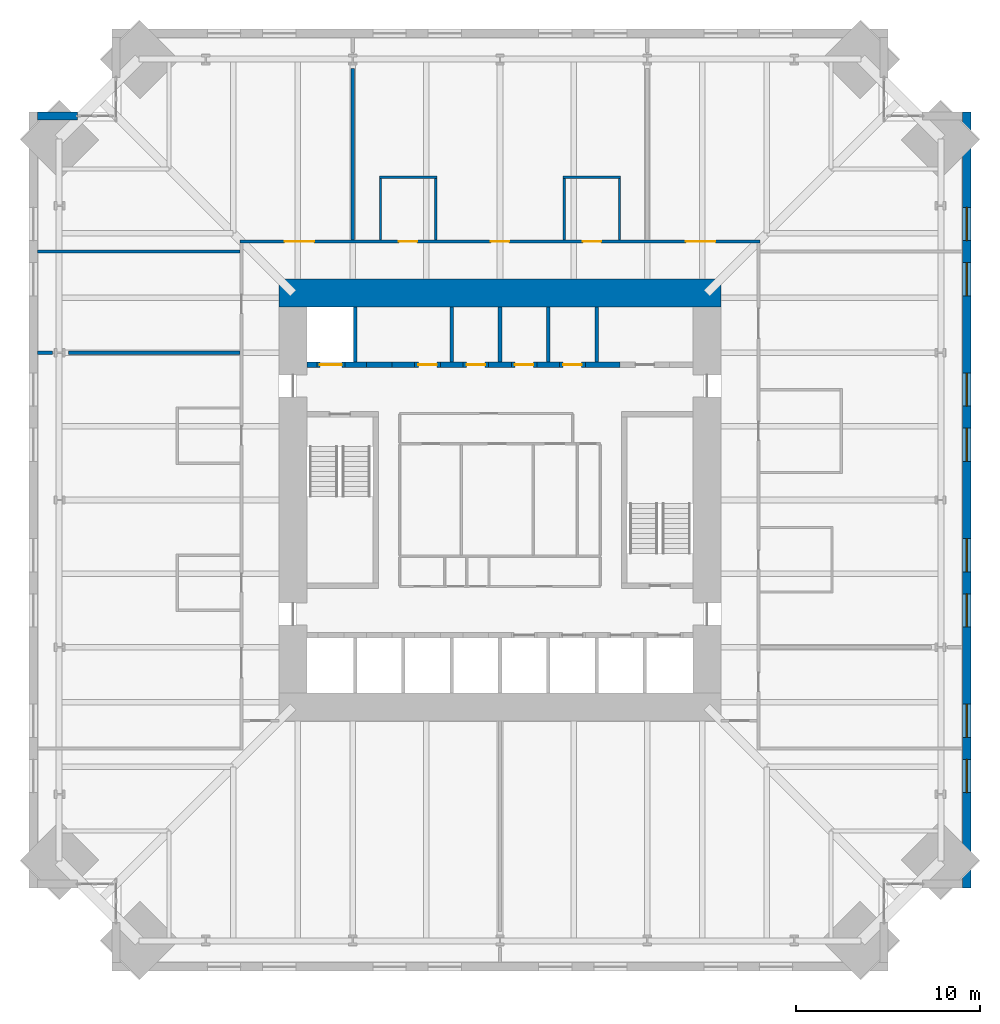
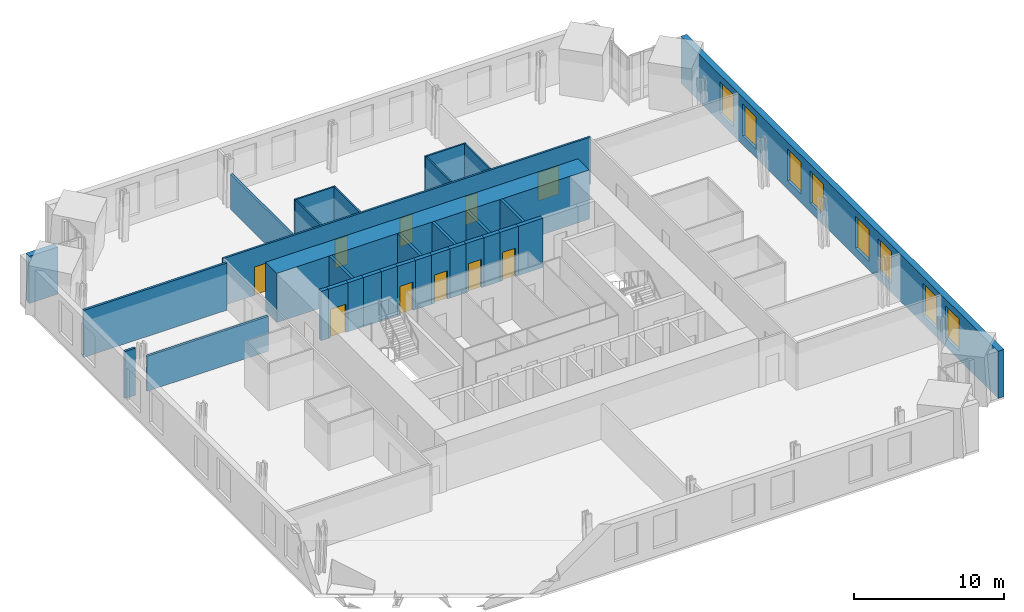
# One storey, part 16 of 18: 32 walls, 10 doors, 8 windows, 18 openings.
"""IFC4 building model written with IfcOpenShell, lengths in metres."""

from ifc_helpers import new_model, si_unit, direction, frame, frame_2d, origin, place, context, subcontext, project, spatial, rectangle, extrude, material, layer, layer_set, type_object, element, fill, save


model = new_model("IFC4")

# Units and contexts
model_context = context("Model", 3, precision=1e-05, world=origin(), true_north=direction((0.0, 1.0)))
body_context = subcontext(model_context, "Body", "Model", "MODEL_VIEW")
ifc_project = project(units=[si_unit("LENGTHUNIT", "METRE"), si_unit("AREAUNIT", "SQUARE_METRE"), si_unit("VOLUMEUNIT", "CUBIC_METRE"), si_unit("PLANEANGLEUNIT", "RADIAN"), si_unit("MASSUNIT", "GRAM", prefix="KILO")], contexts=[model_context])

# Site, building, storey
site_placement = place(None, origin())
site = spatial("IfcSite", under=ifc_project, at=site_placement, CompositionType="ELEMENT")
building_placement = place(site_placement, origin())
building = spatial("IfcBuilding", under=site, at=building_placement, Name="Peilmerk Tower", CompositionType="ELEMENT")
storey_placement = place(building_placement, frame((0.0, 0.0, 171.800048828125)))
storey = spatial("IfcBuildingStorey", under=building, at=storey_placement, Name="L36", CompositionType="ELEMENT", Elevation=171.800048828125)

# Wall, openings, windows
ifc_material_1 = material(Name="Precast concrete C45/55, board-marked finish", Category="concrete")
ifc_layer_1 = layer(ifc_material_1, 0.449951171875)
ifc_layer_set_1 = layer_set([ifc_layer_1], Name="Precast concrete C45/55, board-marked finish")
wall_type_1 = type_object("IfcWallType", Name="EW1 450 precast concrete facade wall, board-marked", PredefinedType="SOLIDWALL", material=ifc_layer_set_1)
wall_1_placement = place(storey_placement, frame((25.375, -21.10009765625, 0.0), z_axis=(0.0, 0.0, 1.0), x_axis=(0.0, 1.0, 0.0)))
wall_1 = element("IfcWall", 1, at=wall_1_placement, inside=storey, type_object=wall_type_1, Name="Facade wall E L36", PredefinedType="SOLIDWALL", context=body_context, shape_type="SweptSolid", body=[
    extrude(rectangle(XDim=42.2001953125, YDim=0.449951171875, at=frame_2d((21.10009765625, 0.0))), origin(), (0.0, 0.0, 1.0), 3.829833984375),
])
opening_1_placement = place(wall_1_placement, frame((5.199951171875, 0.0, 0.699951171875)))
opening_1 = element("IfcOpeningElement", 2, at=opening_1_placement, cuts=wall_1, Name="Opening W1", PredefinedType="OPENING", context=body_context, shape_type="SweptSolid", body=[
    extrude(rectangle(XDim=1.800048828125, YDim=2.60009765625, at=frame_2d((0.89990234375, 1.300048828125))), frame((0.0, 0.23486328125, 0.0), z_axis=(0.0, -1.0, 0.0), x_axis=(1.0, 0.0, 0.0)), (0.0, 0.0, 1.0), 0.469970703125),
])
opening_2_placement = place(wall_1_placement, frame((8.199951171875, 0.0, 0.699951171875)))
opening_2 = element("IfcOpeningElement", 3, at=opening_2_placement, cuts=wall_1, Name="Opening W1", PredefinedType="OPENING", context=body_context, shape_type="SweptSolid", body=[
    extrude(rectangle(XDim=1.800048828125, YDim=2.60009765625, at=frame_2d((0.89990234375, 1.300048828125))), frame((0.0, 0.23486328125, 0.0), z_axis=(0.0, -1.0, 0.0), x_axis=(1.0, 0.0, 0.0)), (0.0, 0.0, 1.0), 0.469970703125),
])
opening_3_placement = place(wall_1_placement, frame((14.199951171875, 0.0, 0.699951171875)))
opening_3 = element("IfcOpeningElement", 4, at=opening_3_placement, cuts=wall_1, Name="Opening W1", PredefinedType="OPENING", context=body_context, shape_type="SweptSolid", body=[
    extrude(rectangle(XDim=1.800048828125, YDim=2.60009765625, at=frame_2d((0.89990234375, 1.300048828125))), frame((0.0, 0.23486328125, 0.0), z_axis=(0.0, -1.0, 0.0), x_axis=(1.0, 0.0, 0.0)), (0.0, 0.0, 1.0), 0.469970703125),
])
opening_4_placement = place(wall_1_placement, frame((17.199951171875, 0.0, 0.699951171875)))
opening_4 = element("IfcOpeningElement", 5, at=opening_4_placement, cuts=wall_1, Name="Opening W1", PredefinedType="OPENING", context=body_context, shape_type="SweptSolid", body=[
    extrude(rectangle(XDim=1.800048828125, YDim=2.60009765625, at=frame_2d((0.89990234375, 1.300048828125))), frame((0.0, 0.23486328125, 0.0), z_axis=(0.0, -1.0, 0.0), x_axis=(1.0, 0.0, 0.0)), (0.0, 0.0, 1.0), 0.469970703125),
])
opening_5_placement = place(wall_1_placement, frame((23.199951171875, 0.0, 0.699951171875)))
opening_5 = element("IfcOpeningElement", 6, at=opening_5_placement, cuts=wall_1, Name="Opening W1", PredefinedType="OPENING", context=body_context, shape_type="SweptSolid", body=[
    extrude(rectangle(XDim=1.800048828125, YDim=2.60009765625, at=frame_2d((0.89990234375, 1.300048828125))), frame((0.0, 0.23486328125, 0.0), z_axis=(0.0, -1.0, 0.0), x_axis=(1.0, 0.0, 0.0)), (0.0, 0.0, 1.0), 0.469970703125),
])
opening_6_placement = place(wall_1_placement, frame((26.199951171875, 0.0, 0.699951171875)))
opening_6 = element("IfcOpeningElement", 7, at=opening_6_placement, cuts=wall_1, Name="Opening W1", PredefinedType="OPENING", context=body_context, shape_type="SweptSolid", body=[
    extrude(rectangle(XDim=1.800048828125, YDim=2.60009765625, at=frame_2d((0.89990234375, 1.300048828125))), frame((0.0, 0.23486328125, 0.0), z_axis=(0.0, -1.0, 0.0), x_axis=(1.0, 0.0, 0.0)), (0.0, 0.0, 1.0), 0.469970703125),
])
opening_7_placement = place(wall_1_placement, frame((32.199951171875, 0.0, 0.699951171875)))
opening_7 = element("IfcOpeningElement", 8, at=opening_7_placement, cuts=wall_1, Name="Opening W1", PredefinedType="OPENING", context=body_context, shape_type="SweptSolid", body=[
    extrude(rectangle(XDim=1.800048828125, YDim=2.60009765625, at=frame_2d((0.89990234375, 1.300048828125))), frame((0.0, 0.23486328125, 0.0), z_axis=(0.0, -1.0, 0.0), x_axis=(1.0, 0.0, 0.0)), (0.0, 0.0, 1.0), 0.469970703125),
])
opening_8_placement = place(wall_1_placement, frame((35.199951171875, 0.0, 0.699951171875)))
opening_8 = element("IfcOpeningElement", 9, at=opening_8_placement, cuts=wall_1, Name="Opening W1", PredefinedType="OPENING", context=body_context, shape_type="SweptSolid", body=[
    extrude(rectangle(XDim=1.800048828125, YDim=2.60009765625, at=frame_2d((0.89990234375, 1.300048828125))), frame((0.0, 0.23486328125, 0.0), z_axis=(0.0, -1.0, 0.0), x_axis=(1.0, 0.0, 0.0)), (0.0, 0.0, 1.0), 0.469970703125),
])
ifc_material_2 = material(Name="Aluminium frame, clear double glazing", Category="aluminium")
window_type = type_object("IfcWindowType", Name="W1 1800x2600 office window", PartitioningType="SINGLE_PANEL", PredefinedType="WINDOW", material=ifc_material_2)
window_1_placement = place(opening_1_placement, origin())
window_1 = element("IfcWindow", 10, at=window_1_placement, inside=storey, type_object=window_type, Name="Window W1 L36", OverallHeight=2.60009765625, OverallWidth=1.800048828125, PartitioningType="SINGLE_PANEL", PredefinedType="WINDOW", context=body_context, shape_type="SweptSolid", body=[
    extrude(rectangle(XDim=1.800048828125, YDim=2.60009765625, at=frame_2d((0.89990234375, 1.300048828125))), frame((0.0, 0.030029296875, 0.0), z_axis=(0.0, -1.0, 0.0), x_axis=(1.0, 0.0, 0.0)), (0.0, 0.0, 1.0), 0.06005859375),
])
fill(opening_1, window_1)
window_2_placement = place(opening_2_placement, origin())
window_2 = element("IfcWindow", 11, at=window_2_placement, inside=storey, type_object=window_type, Name="Window W1 L36", OverallHeight=2.60009765625, OverallWidth=1.800048828125, PartitioningType="SINGLE_PANEL", PredefinedType="WINDOW", context=body_context, shape_type="SweptSolid", body=[
    extrude(rectangle(XDim=1.800048828125, YDim=2.60009765625, at=frame_2d((0.89990234375, 1.300048828125))), frame((0.0, 0.030029296875, 0.0), z_axis=(0.0, -1.0, 0.0), x_axis=(1.0, 0.0, 0.0)), (0.0, 0.0, 1.0), 0.06005859375),
])
fill(opening_2, window_2)
window_3_placement = place(opening_3_placement, origin())
window_3 = element("IfcWindow", 12, at=window_3_placement, inside=storey, type_object=window_type, Name="Window W1 L36", OverallHeight=2.60009765625, OverallWidth=1.800048828125, PartitioningType="SINGLE_PANEL", PredefinedType="WINDOW", context=body_context, shape_type="SweptSolid", body=[
    extrude(rectangle(XDim=1.800048828125, YDim=2.60009765625, at=frame_2d((0.89990234375, 1.300048828125))), frame((0.0, 0.030029296875, 0.0), z_axis=(0.0, -1.0, 0.0), x_axis=(1.0, 0.0, 0.0)), (0.0, 0.0, 1.0), 0.06005859375),
])
fill(opening_3, window_3)
window_4_placement = place(opening_4_placement, origin())
window_4 = element("IfcWindow", 13, at=window_4_placement, inside=storey, type_object=window_type, Name="Window W1 L36", OverallHeight=2.60009765625, OverallWidth=1.800048828125, PartitioningType="SINGLE_PANEL", PredefinedType="WINDOW", context=body_context, shape_type="SweptSolid", body=[
    extrude(rectangle(XDim=1.800048828125, YDim=2.60009765625, at=frame_2d((0.89990234375, 1.300048828125))), frame((0.0, 0.030029296875, 0.0), z_axis=(0.0, -1.0, 0.0), x_axis=(1.0, 0.0, 0.0)), (0.0, 0.0, 1.0), 0.06005859375),
])
fill(opening_4, window_4)
window_5_placement = place(opening_5_placement, origin())
window_5 = element("IfcWindow", 14, at=window_5_placement, inside=storey, type_object=window_type, Name="Window W1 L36", OverallHeight=2.60009765625, OverallWidth=1.800048828125, PartitioningType="SINGLE_PANEL", PredefinedType="WINDOW", context=body_context, shape_type="SweptSolid", body=[
    extrude(rectangle(XDim=1.800048828125, YDim=2.60009765625, at=frame_2d((0.89990234375, 1.300048828125))), frame((0.0, 0.030029296875, 0.0), z_axis=(0.0, -1.0, 0.0), x_axis=(1.0, 0.0, 0.0)), (0.0, 0.0, 1.0), 0.06005859375),
])
fill(opening_5, window_5)
window_6_placement = place(opening_6_placement, origin())
window_6 = element("IfcWindow", 15, at=window_6_placement, inside=storey, type_object=window_type, Name="Window W1 L36", OverallHeight=2.60009765625, OverallWidth=1.800048828125, PartitioningType="SINGLE_PANEL", PredefinedType="WINDOW", context=body_context, shape_type="SweptSolid", body=[
    extrude(rectangle(XDim=1.800048828125, YDim=2.60009765625, at=frame_2d((0.89990234375, 1.300048828125))), frame((0.0, 0.030029296875, 0.0), z_axis=(0.0, -1.0, 0.0), x_axis=(1.0, 0.0, 0.0)), (0.0, 0.0, 1.0), 0.06005859375),
])
fill(opening_6, window_6)
window_7_placement = place(opening_7_placement, origin())
window_7 = element("IfcWindow", 16, at=window_7_placement, inside=storey, type_object=window_type, Name="Window W1 L36", OverallHeight=2.60009765625, OverallWidth=1.800048828125, PartitioningType="SINGLE_PANEL", PredefinedType="WINDOW", context=body_context, shape_type="SweptSolid", body=[
    extrude(rectangle(XDim=1.800048828125, YDim=2.60009765625, at=frame_2d((0.89990234375, 1.300048828125))), frame((0.0, 0.030029296875, 0.0), z_axis=(0.0, -1.0, 0.0), x_axis=(1.0, 0.0, 0.0)), (0.0, 0.0, 1.0), 0.06005859375),
])
fill(opening_7, window_7)
window_8_placement = place(opening_8_placement, origin())
window_8 = element("IfcWindow", 17, at=window_8_placement, inside=storey, type_object=window_type, Name="Window W1 L36", OverallHeight=2.60009765625, OverallWidth=1.800048828125, PartitioningType="SINGLE_PANEL", PredefinedType="WINDOW", context=body_context, shape_type="SweptSolid", body=[
    extrude(rectangle(XDim=1.800048828125, YDim=2.60009765625, at=frame_2d((0.89990234375, 1.300048828125))), frame((0.0, 0.030029296875, 0.0), z_axis=(0.0, -1.0, 0.0), x_axis=(1.0, 0.0, 0.0)), (0.0, 0.0, 1.0), 0.06005859375),
])
fill(opening_8, window_8)

# Wall
wall_2_placement = place(storey_placement, frame((-22.95361328125, 20.875, 0.0), z_axis=(0.0, 0.0, 1.0), x_axis=(-1.0, 0.0, 0.0)))
element("IfcWall", 18, at=wall_2_placement, inside=storey, type_object=wall_type_1, Name="Facade wall NWB L36", PredefinedType="SOLIDWALL", context=body_context, shape_type="SweptSolid", body=[
    extrude(rectangle(XDim=2.1962890625, YDim=0.449951171875, at=frame_2d((1.09814453125, 0.0))), origin(), (0.0, 0.0, 1.0), 3.829833984375),
])

# Wall, openings, doors
ifc_material_3 = material(Name="Calcium silicate block", Category="masonry")
ifc_layer_2 = layer(ifc_material_3, 0.14990234375)
ifc_layer_set_2 = layer_set([ifc_layer_2], Name="Calcium silicate block")
wall_type_2 = type_object("IfcWallType", Name="IW1 150 corridor partition, EI 60", PredefinedType="PARTITIONING", material=ifc_layer_set_2)
wall_3_placement = place(storey_placement, frame((-14.125, 14.050048828125, 0.0), z_axis=(0.0, 0.0, 1.0), x_axis=(1.0, 0.0, 0.0)))
wall_3 = element("IfcWall", 19, at=wall_3_placement, inside=storey, type_object=wall_type_2, Name="Corridor wall N L36", PredefinedType="PARTITIONING", context=body_context, shape_type="SweptSolid", body=[
    extrude(rectangle(XDim=28.25, YDim=0.14990234375, at=frame_2d((14.125, 0.0))), origin(), (0.0, 0.0, 1.0), 3.829833984375),
])
opening_9_placement = place(wall_3_placement, frame((2.425048828125, 0.0, 0.0)))
opening_9 = element("IfcOpeningElement", 20, at=opening_9_placement, cuts=wall_3, Name="Opening D9", PredefinedType="OPENING", context=body_context, shape_type="SweptSolid", body=[
    extrude(rectangle(XDim=1.60009765625, YDim=2.300048828125, at=frame_2d((0.800048828125, 1.14990234375))), frame((0.0, 0.0849609375, 0.0), z_axis=(0.0, -1.0, 0.0), x_axis=(1.0, 0.0, 0.0)), (0.0, 0.0, 1.0), 0.169921875),
])
opening_10_placement = place(wall_3_placement, frame((13.625, 0.0, 0.0)))
opening_10 = element("IfcOpeningElement", 21, at=opening_10_placement, cuts=wall_3, Name="Opening D1", PredefinedType="OPENING", context=body_context, shape_type="SweptSolid", body=[
    extrude(rectangle(XDim=1.0, YDim=2.300048828125, at=frame_2d((0.5, 1.14990234375))), frame((0.0, 0.0849609375, 0.0), z_axis=(0.0, -1.0, 0.0), x_axis=(1.0, 0.0, 0.0)), (0.0, 0.0, 1.0), 0.169921875),
])
opening_11_placement = place(wall_3_placement, frame((24.22509765625, 0.0, 0.0)))
opening_11 = element("IfcOpeningElement", 22, at=opening_11_placement, cuts=wall_3, Name="Opening D9", PredefinedType="OPENING", context=body_context, shape_type="SweptSolid", body=[
    extrude(rectangle(XDim=1.60009765625, YDim=2.300048828125, at=frame_2d((0.800048828125, 1.14990234375))), frame((0.0, 0.0849609375, 0.0), z_axis=(0.0, -1.0, 0.0), x_axis=(1.0, 0.0, 0.0)), (0.0, 0.0, 1.0), 0.169921875),
])
opening_12_placement = place(wall_3_placement, frame((8.625, 0.0, 0.0)))
opening_12 = element("IfcOpeningElement", 23, at=opening_12_placement, cuts=wall_3, Name="Opening D1", PredefinedType="OPENING", context=body_context, shape_type="SweptSolid", body=[
    extrude(rectangle(XDim=1.0, YDim=2.300048828125, at=frame_2d((0.5, 1.14990234375))), frame((0.0, 0.0849609375, 0.0), z_axis=(0.0, -1.0, 0.0), x_axis=(1.0, 0.0, 0.0)), (0.0, 0.0, 1.0), 0.169921875),
])
opening_13_placement = place(wall_3_placement, frame((18.625, 0.0, 0.0)))
opening_13 = element("IfcOpeningElement", 24, at=opening_13_placement, cuts=wall_3, Name="Opening D1", PredefinedType="OPENING", context=body_context, shape_type="SweptSolid", body=[
    extrude(rectangle(XDim=1.0, YDim=2.300048828125, at=frame_2d((0.5, 1.14990234375))), frame((0.0, 0.0849609375, 0.0), z_axis=(0.0, -1.0, 0.0), x_axis=(1.0, 0.0, 0.0)), (0.0, 0.0, 1.0), 0.169921875),
])
ifc_material_4 = material(Name="Timber door in steel frame", Category="steel")
door_type_1 = type_object("IfcDoorType", Name="D1 1000x2300 room door, EI2 30", OperationType="SINGLE_SWING_LEFT", PredefinedType="DOOR", material=ifc_material_4)
door_1_placement = place(opening_10_placement, origin())
door_1 = element("IfcDoor", 25, at=door_1_placement, inside=storey, type_object=door_type_1, Name="Door Project room L36", OperationType="SINGLE_SWING_LEFT", OverallHeight=2.300048828125, OverallWidth=1.0, PredefinedType="DOOR", context=body_context, shape_type="SweptSolid", body=[
    extrude(rectangle(XDim=1.0, YDim=2.300048828125, at=frame_2d((0.5, 1.14990234375))), frame((0.0, 0.02490234375, 0.0), z_axis=(0.0, -1.0, 0.0), x_axis=(1.0, 0.0, 0.0)), (0.0, 0.0, 1.0), 0.050048828125),
])
fill(opening_10, door_1)
door_2_placement = place(opening_12_placement, origin())
door_2 = element("IfcDoor", 26, at=door_2_placement, inside=storey, type_object=door_type_1, Name="Door Focus room L36", OperationType="SINGLE_SWING_LEFT", OverallHeight=2.300048828125, OverallWidth=1.0, PredefinedType="DOOR", context=body_context, shape_type="SweptSolid", body=[
    extrude(rectangle(XDim=1.0, YDim=2.300048828125, at=frame_2d((0.5, 1.14990234375))), frame((0.0, 0.02490234375, 0.0), z_axis=(0.0, -1.0, 0.0), x_axis=(1.0, 0.0, 0.0)), (0.0, 0.0, 1.0), 0.050048828125),
])
fill(opening_12, door_2)
door_3_placement = place(opening_13_placement, origin())
door_3 = element("IfcDoor", 27, at=door_3_placement, inside=storey, type_object=door_type_1, Name="Door Focus room L36", OperationType="SINGLE_SWING_LEFT", OverallHeight=2.300048828125, OverallWidth=1.0, PredefinedType="DOOR", context=body_context, shape_type="SweptSolid", body=[
    extrude(rectangle(XDim=1.0, YDim=2.300048828125, at=frame_2d((0.5, 1.14990234375))), frame((0.0, 0.02490234375, 0.0), z_axis=(0.0, -1.0, 0.0), x_axis=(1.0, 0.0, 0.0)), (0.0, 0.0, 1.0), 0.050048828125),
])
fill(opening_13, door_3)
ifc_material_5 = material(Name="Glazed timber door in steel frame", Category="steel")
door_type_2 = type_object("IfcDoorType", Name="D9 1600x2300 glazed double door, EI2 30", OperationType="DOUBLE_DOOR_SINGLE_SWING", PredefinedType="DOOR", material=ifc_material_5)
door_4_placement = place(opening_9_placement, origin())
door_4 = element("IfcDoor", 28, at=door_4_placement, inside=storey, type_object=door_type_2, Name="Door Open workspace L36", OperationType="DOUBLE_DOOR_SINGLE_SWING", OverallHeight=2.300048828125, OverallWidth=1.60009765625, PredefinedType="DOOR", context=body_context, shape_type="SweptSolid", body=[
    extrude(rectangle(XDim=1.60009765625, YDim=2.300048828125, at=frame_2d((0.800048828125, 1.14990234375))), frame((0.0, 0.02490234375, 0.0), z_axis=(0.0, -1.0, 0.0), x_axis=(1.0, 0.0, 0.0)), (0.0, 0.0, 1.0), 0.050048828125),
])
fill(opening_9, door_4)
door_5_placement = place(opening_11_placement, origin())
door_5 = element("IfcDoor", 29, at=door_5_placement, inside=storey, type_object=door_type_2, Name="Door Open workspace L36", OperationType="DOUBLE_DOOR_SINGLE_SWING", OverallHeight=2.300048828125, OverallWidth=1.60009765625, PredefinedType="DOOR", context=body_context, shape_type="SweptSolid", body=[
    extrude(rectangle(XDim=1.60009765625, YDim=2.300048828125, at=frame_2d((0.800048828125, 1.14990234375))), frame((0.0, 0.02490234375, 0.0), z_axis=(0.0, -1.0, 0.0), x_axis=(1.0, 0.0, 0.0)), (0.0, 0.0, 1.0), 0.050048828125),
])
fill(opening_11, door_5)

# Walls
ifc_material_6 = material(Name="Plasterboard on steel studs, double boarded with mineral wool", Category="steel")
ifc_layer_3 = layer(ifc_material_6, 0.125)
ifc_layer_set_3 = layer_set([ifc_layer_3], Name="Plasterboard on steel studs, double boarded with mineral wool")
wall_type_3 = type_object("IfcWallType", Name="IW7 125 acoustic partition, EI 30", PredefinedType="PARTITIONING", material=ifc_layer_set_3)
wall_4_placement = place(storey_placement, frame((-6.5625, 17.550048828125, 0.0), z_axis=(0.0, 0.0, 1.0), x_axis=(1.0, 0.0, 0.0)))
element("IfcWall", 30, at=wall_4_placement, inside=storey, type_object=wall_type_3, Name="Acoustic partition Focus room L36", PredefinedType="PARTITIONING", context=body_context, shape_type="SweptSolid", body=[
    extrude(rectangle(XDim=3.125, YDim=0.125, at=frame_2d((1.5625, 0.0))), origin(), (0.0, 0.0, 1.0), 3.829833984375),
])
for number, where, z_axis, x_axis, name in (
    (31, (-6.5, 14.125, 0.0), (0.0, 0.0, 1.0), (0.0, 1.0, 0.0), "Acoustic partition Focus room L36"),
    (32, (-3.5, 14.125, 0.0), (0.0, 0.0, 1.0), (0.0, 1.0, 0.0), "Acoustic partition Focus room L36"),
):
    element("IfcWall", number, at=place(storey_placement, frame(where, z_axis=z_axis, x_axis=x_axis)), inside=storey, type_object=wall_type_3, Name=name, PredefinedType="PARTITIONING", context=body_context, shape_type="SweptSolid", body=[
        extrude(rectangle(XDim=3.362548828125, YDim=0.125, at=frame_2d((1.68115234375, 0.0))), origin(), (0.0, 0.0, 1.0), 3.829833984375),
    ])
wall_5_placement = place(storey_placement, frame((3.4375, 17.550048828125, 0.0), z_axis=(0.0, 0.0, 1.0), x_axis=(1.0, 0.0, 0.0)))
element("IfcWall", 33, at=wall_5_placement, inside=storey, type_object=wall_type_3, Name="Acoustic partition Focus room L36", PredefinedType="PARTITIONING", context=body_context, shape_type="SweptSolid", body=[
    extrude(rectangle(XDim=3.125, YDim=0.125, at=frame_2d((1.5625, 0.0))), origin(), (0.0, 0.0, 1.0), 3.829833984375),
])
for number, where, z_axis, x_axis, name in (
    (34, (3.5, 14.125, 0.0), (0.0, 0.0, 1.0), (0.0, 1.0, 0.0), "Acoustic partition Focus room L36"),
    (35, (6.5, 14.125, 0.0), (0.0, 0.0, 1.0), (0.0, 1.0, 0.0), "Acoustic partition Focus room L36"),
):
    element("IfcWall", number, at=place(storey_placement, frame(where, z_axis=z_axis, x_axis=x_axis)), inside=storey, type_object=wall_type_3, Name=name, PredefinedType="PARTITIONING", context=body_context, shape_type="SweptSolid", body=[
        extrude(rectangle(XDim=3.362548828125, YDim=0.125, at=frame_2d((1.68115234375, 0.0))), origin(), (0.0, 0.0, 1.0), 3.829833984375),
    ])
ifc_layer_4 = layer(ifc_material_3, 0.175048828125)
ifc_layer_set_4 = layer_set([ifc_layer_4], Name="Calcium silicate block")
wall_type_4 = type_object("IfcWallType", Name="IW8 175 tenant separating wall, EI 60", PredefinedType="PARTITIONING", material=ifc_layer_set_4)
wall_6_placement = place(storey_placement, frame((-25.14990234375, 13.5, 0.0), z_axis=(0.0, 0.0, 1.0), x_axis=(1.0, 0.0, 0.0)))
element("IfcWall", 36, at=wall_6_placement, inside=storey, type_object=wall_type_4, Name="Tenant separating wall NW L36", PredefinedType="PARTITIONING", context=body_context, shape_type="SweptSolid", body=[
    extrude(rectangle(XDim=11.02490234375, YDim=0.175048828125, at=frame_2d((5.512451171875, 0.0))), origin(), (0.0, 0.0, 1.0), 3.829833984375),
])
for number, where, z_axis, x_axis, name in (
    (37, (-8.0, 14.125, 0.0), (0.0, 0.0, 1.0), (0.0, 1.0, 0.0), "Tenant separating wall N1 L36"),
    (38, (-14.125, 8.0, 0.0), (0.0, 0.0, 1.0), (-1.0, 0.0, 0.0), "Tenant separating wall W1 L36"),
):
    element("IfcWall", number, at=place(storey_placement, frame(where, z_axis=z_axis, x_axis=x_axis)), inside=storey, type_object=wall_type_4, Name=name, PredefinedType="PARTITIONING", context=body_context, shape_type="SweptSolid", body=[
        extrude(rectangle(XDim=9.319091796875, YDim=0.175048828125, at=frame_2d((4.65966796875, 0.0))), origin(), (0.0, 0.0, 1.0), 2.83984375),
    ])
wall_7_placement = place(storey_placement, frame((-24.333251953125, 8.0, 0.0), z_axis=(0.0, 0.0, 1.0), x_axis=(-1.0, 0.0, 0.0)))
element("IfcWall", 39, at=wall_7_placement, inside=storey, type_object=wall_type_4, Name="Tenant separating wall W1b L36", PredefinedType="PARTITIONING", context=body_context, shape_type="SweptSolid", body=[
    extrude(rectangle(XDim=0.816650390625, YDim=0.175048828125, at=frame_2d((0.408203125, 0.0))), origin(), (0.0, 0.0, 1.0), 3.829833984375),
])
ifc_layer_5 = layer(ifc_material_3, 0.199951171875)
ifc_layer_set_5 = layer_set([ifc_layer_5], Name="Calcium silicate block")
wall_type_5 = type_object("IfcWallType", Name="SH1 200 shaft dividing wall, EI 120", PredefinedType="PARTITIONING", material=ifc_layer_set_5)
for number, where, z_axis, x_axis, name in (
    (40, (-7.875, 7.5, 0.0), (0.0, 0.0, 1.0), (0.0, 1.0, 0.0), "Shaft wall N FL1 L36"),
    (41, (-2.625, 7.5, 0.0), (0.0, 0.0, 1.0), (0.0, 1.0, 0.0), "Shaft wall N A2 L36"),
    (42, (0.0, 7.5, 0.0), (0.0, 0.0, 1.0), (0.0, 1.0, 0.0), "Shaft wall N A3 L36"),
    (43, (2.625, 7.5, 0.0), (0.0, 0.0, 1.0), (0.0, 1.0, 0.0), "Shaft wall N S1 L36"),
    (44, (5.25, 7.5, 0.0), (0.0, 0.0, 1.0), (0.0, 1.0, 0.0), "Shaft wall N S2 L36"),
):
    element("IfcWall", number, at=place(storey_placement, frame(where, z_axis=z_axis, x_axis=x_axis)), inside=storey, type_object=wall_type_5, Name=name, PredefinedType="PARTITIONING", context=body_context, shape_type="SweptSolid", body=[
        extrude(rectangle(XDim=3.0, YDim=0.199951171875, at=frame_2d((1.5, 0.0))), origin(), (0.0, 0.0, 1.0), 4.0),
    ])

# Wall, opening, door
ifc_layer_6 = layer(ifc_material_3, 0.300048828125)
ifc_layer_set_6 = layer_set([ifc_layer_6], Name="Calcium silicate block")
wall_type_6 = type_object("IfcWallType", Name="SH2 300 lift landing door panel, EI 120", PredefinedType="PARTITIONING", material=ifc_layer_set_6)
wall_8_placement = place(storey_placement, frame((-9.9375, 7.35009765625, 0.0), z_axis=(0.0, 0.0, 1.0), x_axis=(1.0, 0.0, 0.0)))
wall_8 = element("IfcWall", 45, at=wall_8_placement, inside=storey, type_object=wall_type_6, Name="Lift door panel N FL1 L36", PredefinedType="PARTITIONING", context=body_context, shape_type="SweptSolid", body=[
    extrude(rectangle(XDim=1.5, YDim=0.300048828125, at=frame_2d((0.75, 0.0))), origin(), (0.0, 0.0, 1.0), 4.0),
])
opening_14_placement = place(wall_8_placement, frame((0.14990234375, 0.0, 0.0)))
opening_14 = element("IfcOpeningElement", 46, at=opening_14_placement, cuts=wall_8, Name="Opening LD2", PredefinedType="OPENING", context=body_context, shape_type="SweptSolid", body=[
    extrude(rectangle(XDim=1.199951171875, YDim=2.300048828125, at=frame_2d((0.60009765625, 1.14990234375))), frame((0.0, 0.159912109375, 0.0), z_axis=(0.0, -1.0, 0.0), x_axis=(1.0, 0.0, 0.0)), (0.0, 0.0, 1.0), 0.320068359375),
])
ifc_material_7 = material(Name="Stainless steel landing door", Category="steel")
door_type_3 = type_object("IfcDoorType", Name="LD2 1200x2300 lift landing door, sliding, EI2 60", OperationType="SLIDING_TO_LEFT", PredefinedType="DOOR", material=ifc_material_7)
door_6_placement = place(opening_14_placement, frame((1.199951171875, 0.0, 0.0), z_axis=(0.0, 0.0, 1.0), x_axis=(-1.0, 0.0, 0.0)))
door_6 = element("IfcDoor", 47, at=door_6_placement, inside=storey, type_object=door_type_3, Name="Lift landing door FL1 L36", OperationType="SLIDING_TO_LEFT", OverallHeight=2.300048828125, OverallWidth=1.199951171875, PredefinedType="DOOR", context=body_context, shape_type="SweptSolid", body=[
    extrude(rectangle(XDim=1.199951171875, YDim=2.300048828125, at=frame_2d((0.60009765625, 1.14990234375))), frame((0.0, 0.02490234375, 0.0), z_axis=(0.0, -1.0, 0.0), x_axis=(1.0, 0.0, 0.0)), (0.0, 0.0, 1.0), 0.050048828125),
])
fill(opening_14, door_6)

# Wall
wall_9_placement = place(storey_placement, frame((-7.262451171875, 7.35009765625, 0.0), z_axis=(0.0, 0.0, 1.0), x_axis=(1.0, 0.0, 0.0)))
element("IfcWall", 48, at=wall_9_placement, inside=storey, type_object=wall_type_6, Name="Lift door panel N A1 L36", PredefinedType="PARTITIONING", context=body_context, shape_type="SweptSolid", body=[
    extrude(rectangle(XDim=1.39990234375, YDim=0.300048828125, at=frame_2d((0.699951171875, 0.0))), origin(), (0.0, 0.0, 1.0), 4.0),
])

# Wall, opening, door
wall_10_placement = place(storey_placement, frame((-4.637451171875, 7.35009765625, 0.0), z_axis=(0.0, 0.0, 1.0), x_axis=(1.0, 0.0, 0.0)))
wall_10 = element("IfcWall", 49, at=wall_10_placement, inside=storey, type_object=wall_type_6, Name="Lift door panel N A2 L36", PredefinedType="PARTITIONING", context=body_context, shape_type="SweptSolid", body=[
    extrude(rectangle(XDim=1.39990234375, YDim=0.300048828125, at=frame_2d((0.699951171875, 0.0))), origin(), (0.0, 0.0, 1.0), 4.0),
])
opening_15_placement = place(wall_10_placement, frame((0.199951171875, 0.0, 0.0)))
opening_15 = element("IfcOpeningElement", 50, at=opening_15_placement, cuts=wall_10, Name="Opening D10", PredefinedType="OPENING", context=body_context, shape_type="SweptSolid", body=[
    extrude(rectangle(XDim=1.0, YDim=2.300048828125, at=frame_2d((0.5, 1.14990234375))), frame((0.0, 0.159912109375, 0.0), z_axis=(0.0, -1.0, 0.0), x_axis=(1.0, 0.0, 0.0)), (0.0, 0.0, 1.0), 0.320068359375),
])
ifc_material_8 = material(Name="Steel door in steel frame", Category="steel")
door_type_4 = type_object("IfcDoorType", Name="D10 1000x2300 core room door, EI2 60", OperationType="SINGLE_SWING_RIGHT", PredefinedType="DOOR", material=ifc_material_8)
door_7_placement = place(opening_15_placement, origin())
door_7 = element("IfcDoor", 51, at=door_7_placement, inside=storey, type_object=door_type_4, Name="Door Waste room L36", OperationType="SINGLE_SWING_RIGHT", OverallHeight=2.300048828125, OverallWidth=1.0, PredefinedType="DOOR", context=body_context, shape_type="SweptSolid", body=[
    extrude(rectangle(XDim=1.0, YDim=2.300048828125, at=frame_2d((0.5, 1.14990234375))), frame((0.0, 0.02490234375, 0.0), z_axis=(0.0, -1.0, 0.0), x_axis=(1.0, 0.0, 0.0)), (0.0, 0.0, 1.0), 0.050048828125),
])
fill(opening_15, door_7)

wall_11_placement = place(storey_placement, frame((-2.012451171875, 7.35009765625, 0.0), z_axis=(0.0, 0.0, 1.0), x_axis=(1.0, 0.0, 0.0)))
wall_11 = element("IfcWall", 52, at=wall_11_placement, inside=storey, type_object=wall_type_6, Name="Lift door panel N A3 L36", PredefinedType="PARTITIONING", context=body_context, shape_type="SweptSolid", body=[
    extrude(rectangle(XDim=1.39990234375, YDim=0.300048828125, at=frame_2d((0.699951171875, 0.0))), origin(), (0.0, 0.0, 1.0), 4.0),
])
opening_16_placement = place(wall_11_placement, frame((0.199951171875, 0.0, 0.0)))
opening_16 = element("IfcOpeningElement", 53, at=opening_16_placement, cuts=wall_11, Name="Opening D10", PredefinedType="OPENING", context=body_context, shape_type="SweptSolid", body=[
    extrude(rectangle(XDim=1.0, YDim=2.300048828125, at=frame_2d((0.5, 1.14990234375))), frame((0.0, 0.159912109375, 0.0), z_axis=(0.0, -1.0, 0.0), x_axis=(1.0, 0.0, 0.0)), (0.0, 0.0, 1.0), 0.320068359375),
])
door_8_placement = place(opening_16_placement, origin())
door_8 = element("IfcDoor", 54, at=door_8_placement, inside=storey, type_object=door_type_4, Name="Door Electrical room L36", OperationType="SINGLE_SWING_RIGHT", OverallHeight=2.300048828125, OverallWidth=1.0, PredefinedType="DOOR", context=body_context, shape_type="SweptSolid", body=[
    extrude(rectangle(XDim=1.0, YDim=2.300048828125, at=frame_2d((0.5, 1.14990234375))), frame((0.0, 0.02490234375, 0.0), z_axis=(0.0, -1.0, 0.0), x_axis=(1.0, 0.0, 0.0)), (0.0, 0.0, 1.0), 0.050048828125),
])
fill(opening_16, door_8)

wall_12_placement = place(storey_placement, frame((0.612548828125, 7.35009765625, 0.0), z_axis=(0.0, 0.0, 1.0), x_axis=(1.0, 0.0, 0.0)))
wall_12 = element("IfcWall", 55, at=wall_12_placement, inside=storey, type_object=wall_type_6, Name="Lift door panel N S1 L36", PredefinedType="PARTITIONING", context=body_context, shape_type="SweptSolid", body=[
    extrude(rectangle(XDim=1.39990234375, YDim=0.300048828125, at=frame_2d((0.699951171875, 0.0))), origin(), (0.0, 0.0, 1.0), 4.0),
])
opening_17_placement = place(wall_12_placement, frame((0.199951171875, 0.0, 0.0)))
opening_17 = element("IfcOpeningElement", 56, at=opening_17_placement, cuts=wall_12, Name="Opening D10", PredefinedType="OPENING", context=body_context, shape_type="SweptSolid", body=[
    extrude(rectangle(XDim=1.0, YDim=2.300048828125, at=frame_2d((0.5, 1.14990234375))), frame((0.0, 0.159912109375, 0.0), z_axis=(0.0, -1.0, 0.0), x_axis=(1.0, 0.0, 0.0)), (0.0, 0.0, 1.0), 0.320068359375),
])
door_9_placement = place(opening_17_placement, origin())
door_9 = element("IfcDoor", 57, at=door_9_placement, inside=storey, type_object=door_type_4, Name="Door Water meter room L36", OperationType="SINGLE_SWING_RIGHT", OverallHeight=2.300048828125, OverallWidth=1.0, PredefinedType="DOOR", context=body_context, shape_type="SweptSolid", body=[
    extrude(rectangle(XDim=1.0, YDim=2.300048828125, at=frame_2d((0.5, 1.14990234375))), frame((0.0, 0.02490234375, 0.0), z_axis=(0.0, -1.0, 0.0), x_axis=(1.0, 0.0, 0.0)), (0.0, 0.0, 1.0), 0.050048828125),
])
fill(opening_17, door_9)

wall_13_placement = place(storey_placement, frame((3.237548828125, 7.35009765625, 0.0), z_axis=(0.0, 0.0, 1.0), x_axis=(1.0, 0.0, 0.0)))
wall_13 = element("IfcWall", 58, at=wall_13_placement, inside=storey, type_object=wall_type_6, Name="Lift door panel N S2 L36", PredefinedType="PARTITIONING", context=body_context, shape_type="SweptSolid", body=[
    extrude(rectangle(XDim=1.39990234375, YDim=0.300048828125, at=frame_2d((0.699951171875, 0.0))), origin(), (0.0, 0.0, 1.0), 4.0),
])
opening_18_placement = place(wall_13_placement, frame((0.199951171875, 0.0, 0.0)))
opening_18 = element("IfcOpeningElement", 59, at=opening_18_placement, cuts=wall_13, Name="Opening D10", PredefinedType="OPENING", context=body_context, shape_type="SweptSolid", body=[
    extrude(rectangle(XDim=1.0, YDim=2.300048828125, at=frame_2d((0.5, 1.14990234375))), frame((0.0, 0.159912109375, 0.0), z_axis=(0.0, -1.0, 0.0), x_axis=(1.0, 0.0, 0.0)), (0.0, 0.0, 1.0), 0.320068359375),
])
door_10_placement = place(opening_18_placement, origin())
door_10 = element("IfcDoor", 60, at=door_10_placement, inside=storey, type_object=door_type_4, Name="Door Staff WC L36", OperationType="SINGLE_SWING_RIGHT", OverallHeight=2.300048828125, OverallWidth=1.0, PredefinedType="DOOR", context=body_context, shape_type="SweptSolid", body=[
    extrude(rectangle(XDim=1.0, YDim=2.300048828125, at=frame_2d((0.5, 1.14990234375))), frame((0.0, 0.02490234375, 0.0), z_axis=(0.0, -1.0, 0.0), x_axis=(1.0, 0.0, 0.0)), (0.0, 0.0, 1.0), 0.050048828125),
])
fill(opening_18, door_10)

# Walls
ifc_material_9 = material(Name="Concrete C55/67", Category="concrete")
ifc_layer_7 = layer(ifc_material_9, 1.5)
ifc_layer_set_7 = layer_set([ifc_layer_7], Name="Concrete C55/67")
wall_type_7 = type_object("IfcWallType", Name="SW1 1500 core wall", PredefinedType="SHEAR", material=ifc_layer_set_7)
wall_14_placement = place(storey_placement, frame((-12.0, 11.25, 0.0), z_axis=(0.0, 0.0, 1.0), x_axis=(1.0, 0.0, 0.0)))
element("IfcWall", 61, at=wall_14_placement, inside=storey, type_object=wall_type_7, Name="Core wall N L36", PredefinedType="SHEAR", context=body_context, shape_type="SweptSolid", body=[
    extrude(rectangle(XDim=24.0, YDim=1.5, at=frame_2d((12.0, 0.0))), origin(), (0.0, 0.0, 1.0), 4.0),
])
ifc_layer_8 = layer(ifc_material_9, 0.300048828125)
ifc_layer_set_8 = layer_set([ifc_layer_8], Name="Concrete C55/67")
wall_type_8 = type_object("IfcWallType", Name="SW2 300 lift bank pier", PredefinedType="SHEAR", material=ifc_layer_set_8)
wall_15_placement = place(storey_placement, frame((-10.5, 7.35009765625, 0.0), z_axis=(0.0, 0.0, 1.0), x_axis=(1.0, 0.0, 0.0)))
element("IfcWall", 62, at=wall_15_placement, inside=storey, type_object=wall_type_8, Name="Lift bank pier N L36", PredefinedType="SHEAR", context=body_context, shape_type="SweptSolid", body=[
    extrude(rectangle(XDim=0.5625, YDim=0.300048828125, at=frame_2d((0.28125, 0.0))), origin(), (0.0, 0.0, 1.0), 4.0),
])
wall_16_placement = place(storey_placement, frame((-8.4375, 7.35009765625, 0.0), z_axis=(0.0, 0.0, 1.0), x_axis=(1.0, 0.0, 0.0)))
element("IfcWall", 63, at=wall_16_placement, inside=storey, type_object=wall_type_8, Name="Lift bank pier N L36", PredefinedType="SHEAR", context=body_context, shape_type="SweptSolid", body=[
    extrude(rectangle(XDim=1.175048828125, YDim=0.300048828125, at=frame_2d((0.58740234375, 0.0))), origin(), (0.0, 0.0, 1.0), 4.0),
])
for number, where, z_axis, x_axis, name in (
    (64, (-5.862548828125, 7.35009765625, 0.0), (0.0, 0.0, 1.0), (1.0, 0.0, 0.0), "Lift bank pier N L36"),
    (65, (-3.237548828125, 7.35009765625, 0.0), (0.0, 0.0, 1.0), (1.0, 0.0, 0.0), "Lift bank pier N L36"),
    (66, (-0.612548828125, 7.35009765625, 0.0), (0.0, 0.0, 1.0), (1.0, 0.0, 0.0), "Lift bank pier N L36"),
    (67, (2.012451171875, 7.35009765625, 0.0), (0.0, 0.0, 1.0), (1.0, 0.0, 0.0), "Lift bank pier N L36"),
):
    element("IfcWall", number, at=place(storey_placement, frame(where, z_axis=z_axis, x_axis=x_axis)), inside=storey, type_object=wall_type_8, Name=name, PredefinedType="SHEAR", context=body_context, shape_type="SweptSolid", body=[
        extrude(rectangle(XDim=1.22509765625, YDim=0.300048828125, at=frame_2d((0.612548828125, 0.0))), origin(), (0.0, 0.0, 1.0), 4.0),
    ])
wall_17_placement = place(storey_placement, frame((4.637451171875, 7.35009765625, 0.0), z_axis=(0.0, 0.0, 1.0), x_axis=(1.0, 0.0, 0.0)))
element("IfcWall", 68, at=wall_17_placement, inside=storey, type_object=wall_type_8, Name="Lift bank pier N L36", PredefinedType="SHEAR", context=body_context, shape_type="SweptSolid", body=[
    extrude(rectangle(XDim=1.887451171875, YDim=0.300048828125, at=frame_2d((0.94384765625, 0.0))), origin(), (0.0, 0.0, 1.0), 4.0),
])

save(model, "model.ifc")
